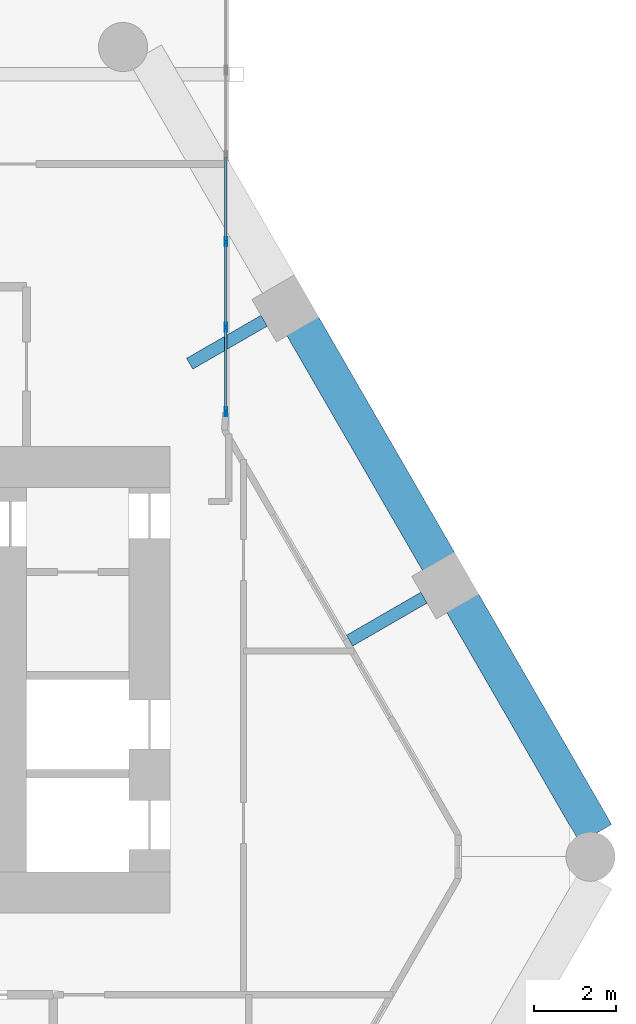
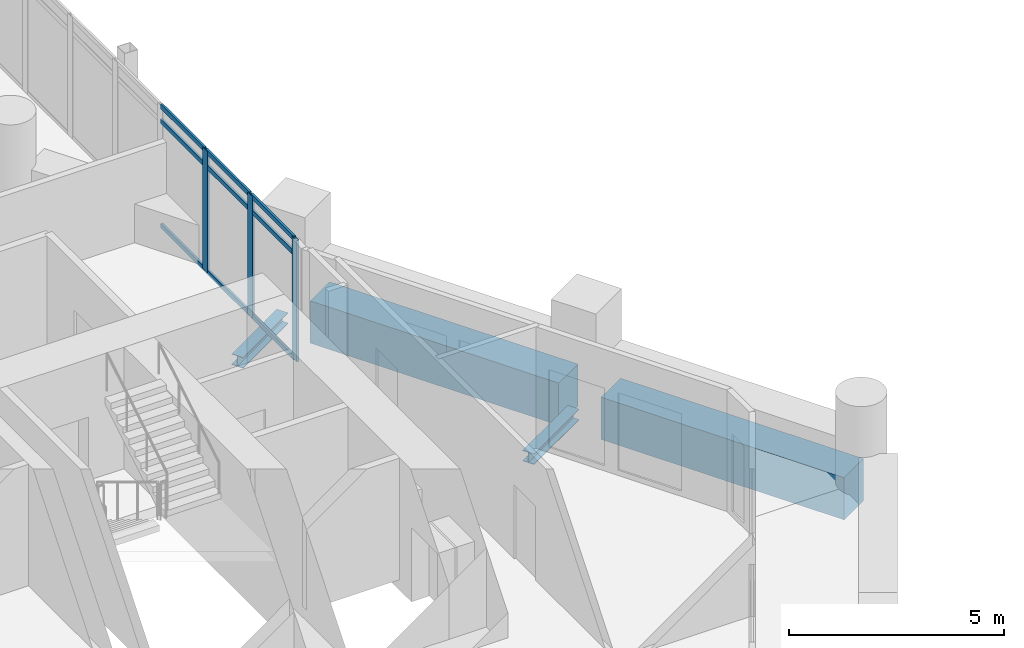
# One storey, part 18 of 28: 12 members, 4 beams, 1 element without a shape of its own.
"""IFC4 building model written with IfcOpenShell, lengths in metres."""

from ifc_helpers import new_model, si_unit, direction, frame, origin, origin_2d, place, context, subcontext, project, spatial, rectangle, hollow_rectangle, i_section, extrude, material, material_profile, profile_set, type_object, element, aggregate, save


model = new_model("IFC4")

# Units and contexts
model_context = context("Model", 3, precision=1e-05, world=origin(), true_north=direction((0.0, 1.0)))
body_context = subcontext(model_context, "Body", "Model", "MODEL_VIEW")
ifc_project = project(units=[si_unit("LENGTHUNIT", "METRE"), si_unit("AREAUNIT", "SQUARE_METRE"), si_unit("VOLUMEUNIT", "CUBIC_METRE"), si_unit("PLANEANGLEUNIT", "RADIAN"), si_unit("MASSUNIT", "GRAM", prefix="KILO")], contexts=[model_context])

# Site, building, storey
site_placement = place(None, origin())
site = spatial("IfcSite", under=ifc_project, at=site_placement, CompositionType="ELEMENT")
building_placement = place(site_placement, origin())
building = spatial("IfcBuilding", under=site, at=building_placement, Name="Ostrander Bayou Hotel Tower", CompositionType="ELEMENT")
storey_placement = place(building_placement, frame((0.0, 0.0, 104.25)))
storey = spatial("IfcBuildingStorey", under=building, at=storey_placement, Name="L26", CompositionType="ELEMENT", Elevation=104.25)

# Curtain wall, members
ifc_material_1 = material(Name="Aluminium and clear glass", Category="aluminium")
curtain_wall_type = type_object("IfcCurtainWallType", Name="CW-BAR glazed wall", PredefinedType="NOTDEFINED", material=ifc_material_1)
curtain_wall_placement = place(storey_placement, origin())
curtain_wall = element("IfcCurtainWall", 1, at=curtain_wall_placement, inside=storey, type_object=curtain_wall_type, Name="CW-BAR L26:SB2N:W", PredefinedType="NOTDEFINED")
ifc_material_2 = material(Name="Aluminium", Category="aluminium")
ifc_material_profile_1 = material_profile(ifc_material_2, hollow_rectangle(XDim=0.06005859375, YDim=0.219970703125, WallThickness=0.00390625, at=origin_2d()))
ifc_profile_set_1 = profile_set([ifc_material_profile_1], Name="Aluminium")
member_type_1 = type_object("IfcMemberType", Name="CW-BR mullion 60 x 220 mm", PredefinedType="MULLION", material=ifc_profile_set_1)
member_1_placement = place(storey_placement, frame((13.3671875, 10.550048828125, 0.0), z_axis=(0.0, 0.0, 1.0), x_axis=(-1.0, 0.0, 0.0)))
member_1 = element("IfcMember", 2, at=member_1_placement, type_object=member_type_1, Name="CW-BAR mullion 1", PredefinedType="MULLION", context=body_context, shape_type="SweptSolid", body=[
    extrude(hollow_rectangle(XDim=0.06005859375, YDim=0.219970703125, WallThickness=0.00390625, at=origin_2d()), origin(), (0.0, 0.0, 1.0), 3.449951171875),
])
member_2_placement = place(storey_placement, frame((13.3671875, 12.612548828125, 0.0), z_axis=(0.0, 0.0, 1.0), x_axis=(-1.0, 0.0, 0.0)))
member_2 = element("IfcMember", 3, at=member_2_placement, type_object=member_type_1, Name="CW-BAR mullion 2", PredefinedType="MULLION", context=body_context, shape_type="SweptSolid", body=[
    extrude(hollow_rectangle(XDim=0.06005859375, YDim=0.219970703125, WallThickness=0.00390625, at=origin_2d()), origin(), (0.0, 0.0, 1.0), 3.449951171875),
])
member_3_placement = place(storey_placement, frame((13.3671875, 14.705078125, 0.0), z_axis=(0.0, 0.0, 1.0), x_axis=(-1.0, 0.0, 0.0)))
member_3 = element("IfcMember", 4, at=member_3_placement, type_object=member_type_1, Name="CW-BAR mullion 3", PredefinedType="MULLION", context=body_context, shape_type="SweptSolid", body=[
    extrude(hollow_rectangle(XDim=0.06005859375, YDim=0.219970703125, WallThickness=0.00390625, at=origin_2d()), origin(), (0.0, 0.0, 1.0), 3.449951171875),
])
ifc_material_3 = material(Name="Aluminium", Category="aluminium")
ifc_material_profile_2 = material_profile(ifc_material_3, hollow_rectangle(XDim=0.06005859375, YDim=0.1298828125, WallThickness=0.00390625, at=origin_2d()))
ifc_profile_set_2 = profile_set([ifc_material_profile_2], Name="Aluminium")
member_type_2 = type_object("IfcMemberType", Name="CW-BR transom 60 x 130 mm", PredefinedType="USERDEFINED", material=ifc_profile_set_2)
member_4_placement = place(storey_placement, frame((13.3671875, 10.580078125, 0.030029296875), z_axis=(0.0, 1.0, 0.0), x_axis=(-1.0, 0.0, 0.0)))
member_4 = element("IfcMember", 5, at=member_4_placement, type_object=member_type_2, Name="CW-BAR transom 1.1", ObjectType="TRANSOM", PredefinedType="USERDEFINED", context=body_context, shape_type="SweptSolid", body=[
    extrude(hollow_rectangle(XDim=0.06005859375, YDim=0.1298828125, WallThickness=0.00390625, at=origin_2d()), origin(), (0.0, 0.0, 1.0), 2.00244140625),
])
member_5_placement = place(storey_placement, frame((13.3671875, 10.580078125, 3.0), z_axis=(0.0, 1.0, 0.0), x_axis=(-1.0, 0.0, 0.0)))
member_5 = element("IfcMember", 6, at=member_5_placement, type_object=member_type_2, Name="CW-BAR transom 1.2", ObjectType="TRANSOM", PredefinedType="USERDEFINED", context=body_context, shape_type="SweptSolid", body=[
    extrude(hollow_rectangle(XDim=0.06005859375, YDim=0.1298828125, WallThickness=0.00390625, at=origin_2d()), origin(), (0.0, 0.0, 1.0), 2.00244140625),
])
member_6_placement = place(storey_placement, frame((13.3671875, 10.580078125, 3.419921875), z_axis=(0.0, 1.0, 0.0), x_axis=(-1.0, 0.0, 0.0)))
member_6 = element("IfcMember", 7, at=member_6_placement, type_object=member_type_2, Name="CW-BAR transom 1.3", ObjectType="TRANSOM", PredefinedType="USERDEFINED", context=body_context, shape_type="SweptSolid", body=[
    extrude(hollow_rectangle(XDim=0.06005859375, YDim=0.1298828125, WallThickness=0.00390625, at=origin_2d()), origin(), (0.0, 0.0, 1.0), 2.00244140625),
])
member_7_placement = place(storey_placement, frame((13.3671875, 12.642578125, 0.030029296875), z_axis=(0.0, 1.0, 0.0), x_axis=(-1.0, 0.0, 0.0)))
member_7 = element("IfcMember", 8, at=member_7_placement, type_object=member_type_2, Name="CW-BAR transom 2.1", ObjectType="TRANSOM", PredefinedType="USERDEFINED", context=body_context, shape_type="SweptSolid", body=[
    extrude(hollow_rectangle(XDim=0.06005859375, YDim=0.1298828125, WallThickness=0.00390625, at=origin_2d()), origin(), (0.0, 0.0, 1.0), 2.032470703125),
])
member_8_placement = place(storey_placement, frame((13.3671875, 12.642578125, 3.0), z_axis=(0.0, 1.0, 0.0), x_axis=(-1.0, 0.0, 0.0)))
member_8 = element("IfcMember", 9, at=member_8_placement, type_object=member_type_2, Name="CW-BAR transom 2.2", ObjectType="TRANSOM", PredefinedType="USERDEFINED", context=body_context, shape_type="SweptSolid", body=[
    extrude(hollow_rectangle(XDim=0.06005859375, YDim=0.1298828125, WallThickness=0.00390625, at=origin_2d()), origin(), (0.0, 0.0, 1.0), 2.032470703125),
])
member_9_placement = place(storey_placement, frame((13.3671875, 12.642578125, 3.419921875), z_axis=(0.0, 1.0, 0.0), x_axis=(-1.0, 0.0, 0.0)))
member_9 = element("IfcMember", 10, at=member_9_placement, type_object=member_type_2, Name="CW-BAR transom 2.3", ObjectType="TRANSOM", PredefinedType="USERDEFINED", context=body_context, shape_type="SweptSolid", body=[
    extrude(hollow_rectangle(XDim=0.06005859375, YDim=0.1298828125, WallThickness=0.00390625, at=origin_2d()), origin(), (0.0, 0.0, 1.0), 2.032470703125),
])
member_10_placement = place(storey_placement, frame((13.3671875, 14.735107421875, 0.030029296875), z_axis=(0.0, 1.0, 0.0), x_axis=(-1.0, 0.0, 0.0)))
member_10 = element("IfcMember", 11, at=member_10_placement, type_object=member_type_2, Name="CW-BAR transom 3.1", ObjectType="TRANSOM", PredefinedType="USERDEFINED", context=body_context, shape_type="SweptSolid", body=[
    extrude(hollow_rectangle(XDim=0.06005859375, YDim=0.1298828125, WallThickness=0.00390625, at=origin_2d()), origin(), (0.0, 0.0, 1.0), 2.032470703125),
])
member_11_placement = place(storey_placement, frame((13.3671875, 14.735107421875, 3.0), z_axis=(0.0, 1.0, 0.0), x_axis=(-1.0, 0.0, 0.0)))
member_11 = element("IfcMember", 12, at=member_11_placement, type_object=member_type_2, Name="CW-BAR transom 3.2", ObjectType="TRANSOM", PredefinedType="USERDEFINED", context=body_context, shape_type="SweptSolid", body=[
    extrude(hollow_rectangle(XDim=0.06005859375, YDim=0.1298828125, WallThickness=0.00390625, at=origin_2d()), origin(), (0.0, 0.0, 1.0), 2.032470703125),
])
member_12_placement = place(storey_placement, frame((13.3671875, 14.735107421875, 3.419921875), z_axis=(0.0, 1.0, 0.0), x_axis=(-1.0, 0.0, 0.0)))
member_12 = element("IfcMember", 13, at=member_12_placement, type_object=member_type_2, Name="CW-BAR transom 3.3", ObjectType="TRANSOM", PredefinedType="USERDEFINED", context=body_context, shape_type="SweptSolid", body=[
    extrude(hollow_rectangle(XDim=0.06005859375, YDim=0.1298828125, WallThickness=0.00390625, at=origin_2d()), origin(), (0.0, 0.0, 1.0), 2.032470703125),
])
aggregate(curtain_wall, [member_1, member_2, member_3, member_4, member_5, member_6, member_7, member_8, member_9, member_10, member_11, member_12])

# Beams
ifc_material_4 = material(Name="Steel ASTM A992", Category="steel")
ifc_material_profile_3 = material_profile(ifc_material_4, i_section(OverallWidth=0.3046875, OverallDepth=0.307861328125, WebThickness=0.010009765625, FlangeThickness=0.015380859375, at=origin_2d()))
ifc_profile_set_3 = profile_set([ifc_material_profile_3], Name="Steel ASTM A992")
beam_type_1 = type_object("IfcBeamType", Name="LB1 loggia bracket W12x65", PredefinedType="BEAM", material=ifc_profile_set_3)
for number, where, z_axis, x_axis, name in (
    (14, (18.2109375, 6.0029296875, -0.453857421875), (-0.866009402589, -0.500027713859, 0.0), (0.500027713859, -0.866009402589, 0.0), "LB1 L26 NE1"),
    (15, (14.30419921875, 12.769775390625, -0.453857421875), (-0.866009402589, -0.500027713859, 0.0), (0.500027713859, -0.866009402589, 0.0), "LB1 L26 NE2"),
):
    element("IfcBeam", number, at=place(storey_placement, frame(where, z_axis=z_axis, x_axis=x_axis)), inside=storey, type_object=beam_type_1, Name=name, PredefinedType="BEAM", context=body_context, shape_type="SweptSolid", body=[
        extrude(i_section(OverallWidth=0.3046875, OverallDepth=0.307861328125, WebThickness=0.010009765625, FlangeThickness=0.015380859375, at=origin_2d()), origin(), (0.0, 0.0, 1.0), 2.10009765625),
    ])
ifc_material_5 = material(Name="Concrete f'c 70 MPa", Category="concrete")
ifc_material_profile_4 = material_profile(ifc_material_5, rectangle(XDim=0.89990234375, YDim=1.199951171875, at=origin_2d()))
ifc_profile_set_4 = profile_set([ifc_material_profile_4], Name="Concrete f'c 70 MPa")
beam_type_2 = type_object("IfcBeamType", Name="SP2 spandrel beam 900 x 1200 mm f'c 70 MPa", PredefinedType="SPANDREL", material=ifc_profile_set_4)
beam_1_placement = place(storey_placement, frame((22.406494140625, 0.236328125, -0.60009765625), z_axis=(-0.500000042739, 0.866025379109, 0.0), x_axis=(-0.866025379109, -0.500000042739, 0.0)))
element("IfcBeam", 16, at=beam_1_placement, inside=storey, type_object=beam_type_2, Name="SP2 L26 NE-1", PredefinedType="SPANDREL", context=body_context, shape_type="SweptSolid", body=[
    extrude(rectangle(XDim=0.89990234375, YDim=1.199951171875, at=origin_2d()), origin(), (0.0, 0.0, 1.0), 6.52197265625),
])
beam_2_placement = place(storey_placement, frame((18.575439453125, 6.87158203125, -0.60009765625), z_axis=(-0.499999023957, 0.866025967302, 0.0), x_axis=(-0.866025967302, -0.499999023957, 0.0)))
element("IfcBeam", 17, at=beam_2_placement, inside=storey, type_object=beam_type_2, Name="SP2 L26 NE-2", PredefinedType="SPANDREL", context=body_context, shape_type="SweptSolid", body=[
    extrude(rectangle(XDim=0.89990234375, YDim=1.199951171875, at=origin_2d()), origin(), (0.0, 0.0, 1.0), 6.67333984375),
])

save(model, "model.ifc")
